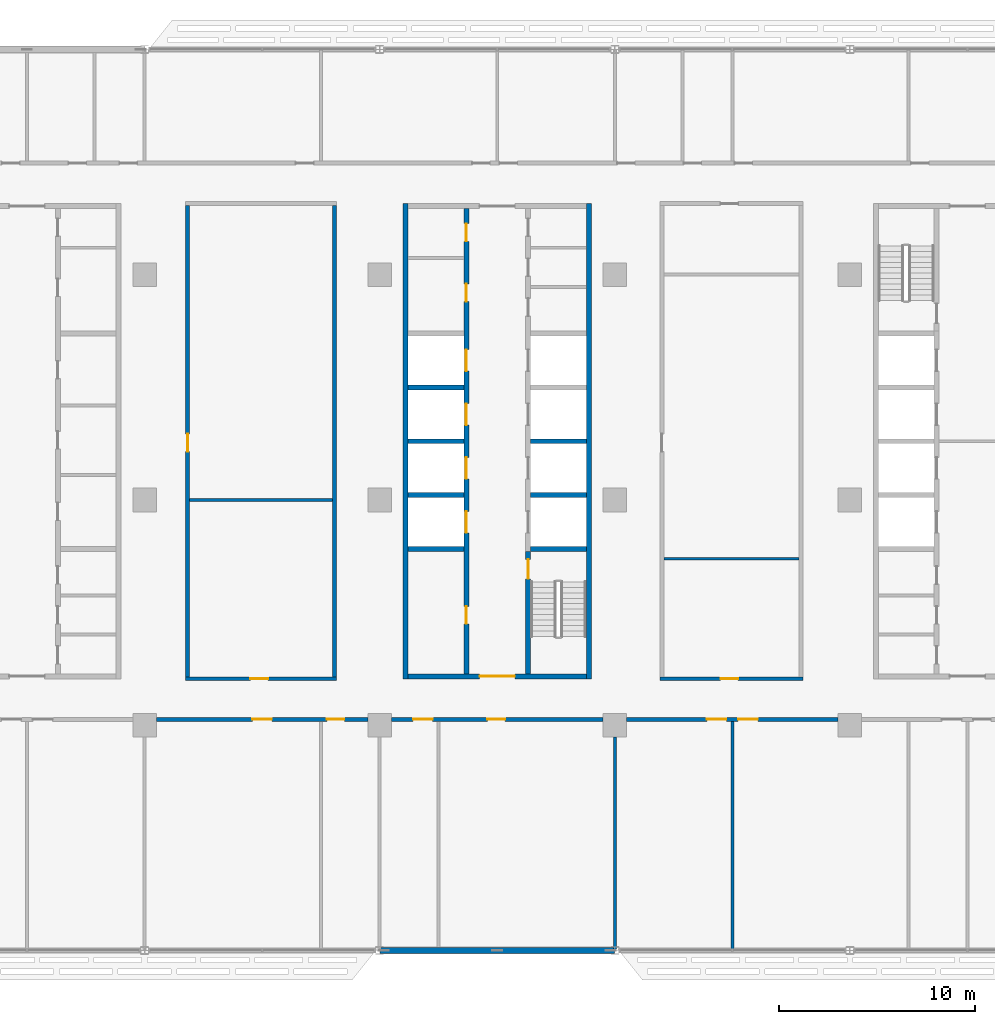
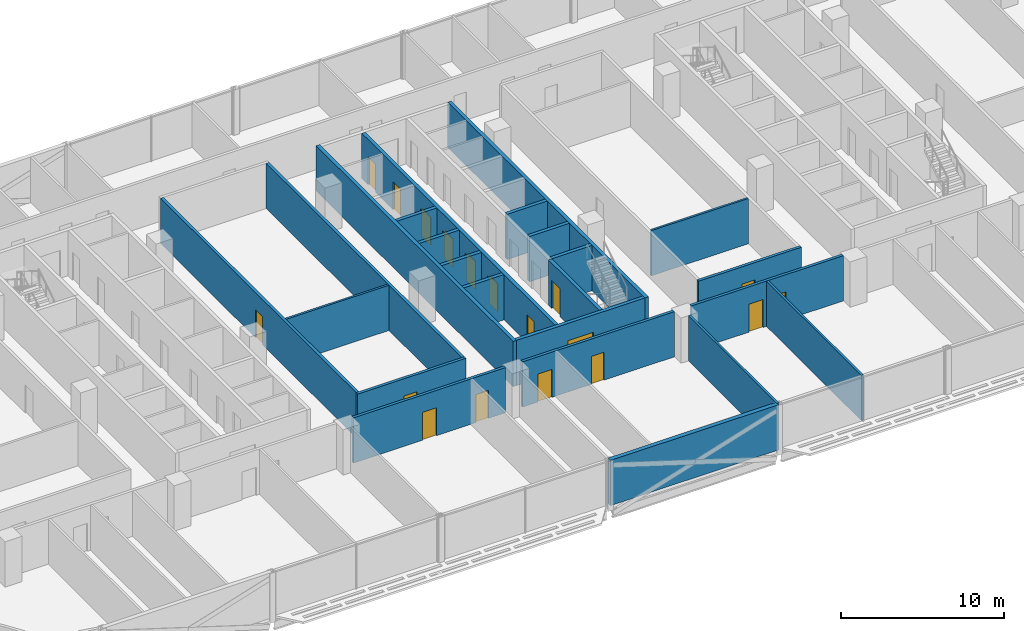
# One storey, part 12 of 28: 24 walls, 18 doors, 18 openings.
"""IFC4 building model written with IfcOpenShell, lengths in metres."""

from ifc_helpers import new_model, si_unit, direction, frame, frame_2d, origin, place, context, subcontext, project, spatial, rectangle, extrude, material, layer, layer_set, type_object, element, fill, save


model = new_model("IFC4")

# Units and contexts
model_context = context("Model", 3, precision=1e-05, world=origin(), true_north=direction((0.0, 1.0)))
body_context = subcontext(model_context, "Body", "Model", "MODEL_VIEW")
ifc_project = project(units=[si_unit("LENGTHUNIT", "METRE"), si_unit("AREAUNIT", "SQUARE_METRE"), si_unit("VOLUMEUNIT", "CUBIC_METRE"), si_unit("PLANEANGLEUNIT", "RADIAN"), si_unit("MASSUNIT", "GRAM", prefix="KILO")], contexts=[model_context])

# Site, building, storey
site_placement = place(None, origin())
site = spatial("IfcSite", under=ifc_project, at=site_placement, CompositionType="ELEMENT")
building_placement = place(site_placement, origin())
building = spatial("IfcBuilding", under=site, at=building_placement, Name="Mahtab Terrace Research Tower", CompositionType="ELEMENT")
storey_placement = place(building_placement, frame((0.0, 0.0, 185.800048828125)))
storey = spatial("IfcBuildingStorey", under=building, at=storey_placement, Name="L44", CompositionType="ELEMENT", Elevation=185.800048828125)

# Walls
ifc_material_1 = material(Name="Concrete C70/85", Category="concrete")
ifc_layer_1 = layer(ifc_material_1, 0.25)
ifc_layer_set_1 = layer_set([ifc_layer_1], Name="Core wall 250")
wall_type_1 = type_object("IfcWallType", Name="Core wall 250", PredefinedType="SOLIDWALL", material=ifc_layer_set_1)
for number, where, z_axis, x_axis, name in (
    (1, (-4.675048828125, 15.125, 0.0), (0.0, 0.0, 1.0), (0.0, -1.0, 0.0), "Core wall B outerW"),
    (2, (4.675048828125, -9.125, 0.0), (0.0, 0.0, 1.0), (0.0, 1.0, 0.0), "Core wall B outerE"),
):
    element("IfcWall", number, at=place(storey_placement, frame(where, z_axis=z_axis, x_axis=x_axis)), inside=storey, type_object=wall_type_1, Name=name, PredefinedType="SOLIDWALL", context=body_context, shape_type="SweptSolid", body=[
        extrude(rectangle(XDim=24.25, YDim=0.25, at=frame_2d((12.125, 0.0))), origin(), (0.0, 0.0, 1.0), 3.39990234375),
    ])

# Wall, opening, door
wall_1_placement = place(storey_placement, frame((4.550048828125, -9.0, 0.0), z_axis=(0.0, 0.0, 1.0), x_axis=(-1.0, 0.0, 0.0)))
wall_1 = element("IfcWall", 3, at=wall_1_placement, inside=storey, type_object=wall_type_1, Name="Core wall B endS", PredefinedType="SOLIDWALL", context=body_context, shape_type="SweptSolid", body=[
    extrude(rectangle(XDim=9.10009765625, YDim=0.25, at=frame_2d((4.550048828125, 0.0))), origin(), (0.0, 0.0, 1.0), 3.39990234375),
])
opening_1_placement = place(wall_1_placement, frame((3.64990234375, 0.0, 0.0)))
opening_1 = element("IfcOpeningElement", 4, at=opening_1_placement, cuts=wall_1, Name="Opening B-S1", PredefinedType="OPENING", context=body_context, shape_type="SweptSolid", body=[
    extrude(rectangle(XDim=1.800048828125, YDim=2.10009765625, at=frame_2d((0.89990234375, 1.050048828125))), frame((0.0, 0.135009765625, 0.0), z_axis=(0.0, -1.0, 0.0), x_axis=(1.0, 0.0, 0.0)), (0.0, 0.0, 1.0), 0.27001953125),
])
ifc_material_2 = material(Name="Steel fire door", Category="steel")
door_type_1 = type_object("IfcDoorType", Name="Lobby double door 1800x2100 1 HR", OperationType="DOUBLE_DOOR_SINGLE_SWING", PredefinedType="DOOR", material=ifc_material_2)
door_1_placement = place(opening_1_placement, origin())
door_1 = element("IfcDoor", 5, at=door_1_placement, inside=storey, type_object=door_type_1, Name="Core entrance door B S", OperationType="DOUBLE_DOOR_SINGLE_SWING", OverallHeight=2.10009765625, OverallWidth=1.800048828125, PredefinedType="DOOR", context=body_context, shape_type="SweptSolid", body=[
    extrude(rectangle(XDim=1.800048828125, YDim=2.10009765625, at=frame_2d((0.89990234375, 1.050048828125))), frame((0.0, 0.02490234375, 0.0), z_axis=(0.0, -1.0, 0.0), x_axis=(1.0, 0.0, 0.0)), (0.0, 0.0, 1.0), 0.050048828125),
])
fill(opening_1, door_1)

# Wall, openings, doors
wall_2_placement = place(storey_placement, frame((-1.574951171875, -8.875, 0.0), z_axis=(0.0, 0.0, 1.0), x_axis=(0.0, 1.0, 0.0)))
wall_2 = element("IfcWall", 6, at=wall_2_placement, inside=storey, type_object=wall_type_1, Name="Core wall B innerWSLN", PredefinedType="SOLIDWALL", context=body_context, shape_type="SweptSolid", body=[
    extrude(rectangle(XDim=23.75, YDim=0.25, at=frame_2d((11.875, 0.0))), origin(), (0.0, 0.0, 1.0), 3.39990234375),
])
opening_2_placement = place(wall_2_placement, frame((7.199951171875, 0.0, 0.0)))
opening_2 = element("IfcOpeningElement", 7, at=opening_2_placement, cuts=wall_2, Name="Opening LD09-L44", PredefinedType="OPENING", context=body_context, shape_type="SweptSolid", body=[
    extrude(rectangle(XDim=1.10009765625, YDim=2.10009765625, at=frame_2d((0.550048828125, 1.050048828125))), frame((0.0, 0.135009765625, 0.0), z_axis=(0.0, -1.0, 0.0), x_axis=(1.0, 0.0, 0.0)), (0.0, 0.0, 1.0), 0.27001953125),
])
opening_3_placement = place(wall_2_placement, frame((9.949951171875, 0.0, 0.0)))
opening_3 = element("IfcOpeningElement", 8, at=opening_3_placement, cuts=wall_2, Name="Opening LD10-L44", PredefinedType="OPENING", context=body_context, shape_type="SweptSolid", body=[
    extrude(rectangle(XDim=1.10009765625, YDim=2.10009765625, at=frame_2d((0.550048828125, 1.050048828125))), frame((0.0, 0.135009765625, 0.0), z_axis=(0.0, -1.0, 0.0), x_axis=(1.0, 0.0, 0.0)), (0.0, 0.0, 1.0), 0.27001953125),
])
opening_4_placement = place(wall_2_placement, frame((12.699951171875, 0.0, 0.0)))
opening_4 = element("IfcOpeningElement", 9, at=opening_4_placement, cuts=wall_2, Name="Opening LD11-L44", PredefinedType="OPENING", context=body_context, shape_type="SweptSolid", body=[
    extrude(rectangle(XDim=1.10009765625, YDim=2.10009765625, at=frame_2d((0.550048828125, 1.050048828125))), frame((0.0, 0.135009765625, 0.0), z_axis=(0.0, -1.0, 0.0), x_axis=(1.0, 0.0, 0.0)), (0.0, 0.0, 1.0), 0.27001953125),
])
opening_5_placement = place(wall_2_placement, frame((15.449951171875, 0.0, 0.0)))
opening_5 = element("IfcOpeningElement", 10, at=opening_5_placement, cuts=wall_2, Name="Opening LD12-L44", PredefinedType="OPENING", context=body_context, shape_type="SweptSolid", body=[
    extrude(rectangle(XDim=1.10009765625, YDim=2.10009765625, at=frame_2d((0.550048828125, 1.050048828125))), frame((0.0, 0.135009765625, 0.0), z_axis=(0.0, -1.0, 0.0), x_axis=(1.0, 0.0, 0.0)), (0.0, 0.0, 1.0), 0.27001953125),
])
opening_6_placement = place(wall_2_placement, frame((2.550048828125, 0.0, 0.0)))
opening_6 = element("IfcOpeningElement", 11, at=opening_6_placement, cuts=wall_2, Name="Opening B-R1", PredefinedType="OPENING", context=body_context, shape_type="SweptSolid", body=[
    extrude(rectangle(XDim=0.89990234375, YDim=2.10009765625, at=frame_2d((0.449951171875, 1.050048828125))), frame((0.0, 0.135009765625, 0.0), z_axis=(0.0, -1.0, 0.0), x_axis=(1.0, 0.0, 0.0)), (0.0, 0.0, 1.0), 0.27001953125),
])
opening_7_placement = place(wall_2_placement, frame((19.00244140625, 0.0, 0.0)))
opening_7 = element("IfcOpeningElement", 12, at=opening_7_placement, cuts=wall_2, Name="Opening B-R2", PredefinedType="OPENING", context=body_context, shape_type="SweptSolid", body=[
    extrude(rectangle(XDim=0.89990234375, YDim=2.10009765625, at=frame_2d((0.449951171875, 1.050048828125))), frame((0.0, 0.135009765625, 0.0), z_axis=(0.0, -1.0, 0.0), x_axis=(1.0, 0.0, 0.0)), (0.0, 0.0, 1.0), 0.27001953125),
])
opening_8_placement = place(wall_2_placement, frame((22.077392578125, 0.0, 0.0)))
opening_8 = element("IfcOpeningElement", 13, at=opening_8_placement, cuts=wall_2, Name="Opening B-R3", PredefinedType="OPENING", context=body_context, shape_type="SweptSolid", body=[
    extrude(rectangle(XDim=0.89990234375, YDim=2.10009765625, at=frame_2d((0.449951171875, 1.050048828125))), frame((0.0, 0.135009765625, 0.0), z_axis=(0.0, -1.0, 0.0), x_axis=(1.0, 0.0, 0.0)), (0.0, 0.0, 1.0), 0.27001953125),
])
ifc_material_3 = material(Name="Stainless steel AISI 304", Category="steel")
door_type_2 = type_object("IfcDoorType", Name="Landing door 1100x2100", OperationType="DOUBLE_DOOR_SLIDING", PredefinedType="DOOR", material=ifc_material_3)
door_2_placement = place(opening_2_placement, origin())
door_2 = element("IfcDoor", 14, at=door_2_placement, inside=storey, type_object=door_type_2, Name="Landing door HR1 L44", OperationType="DOUBLE_DOOR_SLIDING", OverallHeight=2.10009765625, OverallWidth=1.10009765625, PredefinedType="DOOR", context=body_context, shape_type="SweptSolid", body=[
    extrude(rectangle(XDim=1.10009765625, YDim=2.10009765625, at=frame_2d((0.550048828125, 1.050048828125))), frame((0.0, 0.02490234375, 0.0), z_axis=(0.0, -1.0, 0.0), x_axis=(1.0, 0.0, 0.0)), (0.0, 0.0, 1.0), 0.050048828125),
])
fill(opening_2, door_2)
door_3_placement = place(opening_3_placement, origin())
door_3 = element("IfcDoor", 15, at=door_3_placement, inside=storey, type_object=door_type_2, Name="Landing door HR2 L44", OperationType="DOUBLE_DOOR_SLIDING", OverallHeight=2.10009765625, OverallWidth=1.10009765625, PredefinedType="DOOR", context=body_context, shape_type="SweptSolid", body=[
    extrude(rectangle(XDim=1.10009765625, YDim=2.10009765625, at=frame_2d((0.550048828125, 1.050048828125))), frame((0.0, 0.02490234375, 0.0), z_axis=(0.0, -1.0, 0.0), x_axis=(1.0, 0.0, 0.0)), (0.0, 0.0, 1.0), 0.050048828125),
])
fill(opening_3, door_3)
door_4_placement = place(opening_4_placement, origin())
door_4 = element("IfcDoor", 16, at=door_4_placement, inside=storey, type_object=door_type_2, Name="Landing door HR3 L44", OperationType="DOUBLE_DOOR_SLIDING", OverallHeight=2.10009765625, OverallWidth=1.10009765625, PredefinedType="DOOR", context=body_context, shape_type="SweptSolid", body=[
    extrude(rectangle(XDim=1.10009765625, YDim=2.10009765625, at=frame_2d((0.550048828125, 1.050048828125))), frame((0.0, 0.02490234375, 0.0), z_axis=(0.0, -1.0, 0.0), x_axis=(1.0, 0.0, 0.0)), (0.0, 0.0, 1.0), 0.050048828125),
])
fill(opening_4, door_4)
door_5_placement = place(opening_5_placement, origin())
door_5 = element("IfcDoor", 17, at=door_5_placement, inside=storey, type_object=door_type_2, Name="Landing door HR4 L44", OperationType="DOUBLE_DOOR_SLIDING", OverallHeight=2.10009765625, OverallWidth=1.10009765625, PredefinedType="DOOR", context=body_context, shape_type="SweptSolid", body=[
    extrude(rectangle(XDim=1.10009765625, YDim=2.10009765625, at=frame_2d((0.550048828125, 1.050048828125))), frame((0.0, 0.02490234375, 0.0), z_axis=(0.0, -1.0, 0.0), x_axis=(1.0, 0.0, 0.0)), (0.0, 0.0, 1.0), 0.050048828125),
])
fill(opening_5, door_5)
door_type_3 = type_object("IfcDoorType", Name="Room door 900x2100 1 HR", OperationType="NOTDEFINED", PredefinedType="DOOR", material=ifc_material_2)
door_6_placement = place(opening_6_placement, origin())
door_6 = element("IfcDoor", 18, at=door_6_placement, inside=storey, type_object=door_type_3, Name="Gas cylinder store door", OperationType="SINGLE_SWING_LEFT", OverallHeight=2.10009765625, OverallWidth=0.89990234375, PredefinedType="DOOR", context=body_context, shape_type="SweptSolid", body=[
    extrude(rectangle(XDim=0.89990234375, YDim=2.10009765625, at=frame_2d((0.449951171875, 1.050048828125))), frame((0.0, 0.02490234375, 0.0), z_axis=(0.0, -1.0, 0.0), x_axis=(1.0, 0.0, 0.0)), (0.0, 0.0, 1.0), 0.050048828125),
])
fill(opening_6, door_6)
door_7_placement = place(opening_7_placement, origin())
door_7 = element("IfcDoor", 19, at=door_7_placement, inside=storey, type_object=door_type_3, Name="Pantry door", OperationType="SINGLE_SWING_RIGHT", OverallHeight=2.10009765625, OverallWidth=0.89990234375, PredefinedType="DOOR", context=body_context, shape_type="SweptSolid", body=[
    extrude(rectangle(XDim=0.89990234375, YDim=2.10009765625, at=frame_2d((0.449951171875, 1.050048828125))), frame((0.0, 0.02490234375, 0.0), z_axis=(0.0, -1.0, 0.0), x_axis=(1.0, 0.0, 0.0)), (0.0, 0.0, 1.0), 0.050048828125),
])
fill(opening_7, door_7)
door_8_placement = place(opening_8_placement, origin())
door_8 = element("IfcDoor", 20, at=door_8_placement, inside=storey, type_object=door_type_3, Name="Linen store door", OperationType="SINGLE_SWING_LEFT", OverallHeight=2.10009765625, OverallWidth=0.89990234375, PredefinedType="DOOR", context=body_context, shape_type="SweptSolid", body=[
    extrude(rectangle(XDim=0.89990234375, YDim=2.10009765625, at=frame_2d((0.449951171875, 1.050048828125))), frame((0.0, 0.02490234375, 0.0), z_axis=(0.0, -1.0, 0.0), x_axis=(1.0, 0.0, 0.0)), (0.0, 0.0, 1.0), 0.050048828125),
])
fill(opening_8, door_8)

# Wall, opening, door
wall_3_placement = place(storey_placement, frame((1.574951171875, -8.875, 0.0), z_axis=(0.0, 0.0, 1.0), x_axis=(0.0, 1.0, 0.0)))
wall_3 = element("IfcWall", 21, at=wall_3_placement, inside=storey, type_object=wall_type_1, Name="Core wall B innerES", PredefinedType="SOLIDWALL", context=body_context, shape_type="SweptSolid", body=[
    extrude(rectangle(XDim=6.25, YDim=0.25, at=frame_2d((3.125, 0.0))), origin(), (0.0, 0.0, 1.0), 3.39990234375),
])
opening_9_placement = place(wall_3_placement, frame((4.85009765625, 0.0, 0.0)))
opening_9 = element("IfcOpeningElement", 22, at=opening_9_placement, cuts=wall_3, Name="Opening B-ST2", PredefinedType="OPENING", context=body_context, shape_type="SweptSolid", body=[
    extrude(rectangle(XDim=1.0, YDim=2.10009765625, at=frame_2d((0.5, 1.050048828125))), frame((0.0, 0.135009765625, 0.0), z_axis=(0.0, -1.0, 0.0), x_axis=(1.0, 0.0, 0.0)), (0.0, 0.0, 1.0), 0.27001953125),
])
door_type_4 = type_object("IfcDoorType", Name="Stair door 1000x2100 1.5 HR", OperationType="NOTDEFINED", PredefinedType="DOOR", material=ifc_material_2)
door_9_placement = place(opening_9_placement, origin())
door_9 = element("IfcDoor", 23, at=door_9_placement, inside=storey, type_object=door_type_4, Name="Stair door ST2 L44", OperationType="SINGLE_SWING_LEFT", OverallHeight=2.10009765625, OverallWidth=1.0, PredefinedType="DOOR", context=body_context, shape_type="SweptSolid", body=[
    extrude(rectangle(XDim=1.0, YDim=2.10009765625, at=frame_2d((0.5, 1.050048828125))), frame((0.0, 0.02490234375, 0.0), z_axis=(0.0, -1.0, 0.0), x_axis=(1.0, 0.0, 0.0)), (0.0, 0.0, 1.0), 0.050048828125),
])
fill(opening_9, door_9)

# Walls
for number, where, z_axis, x_axis, name in (
    (24, (-4.550048828125, -2.5, 0.0), (0.0, 0.0, 1.0), (1.0, 0.0, 0.0), "Core wall B divW0"),
    (25, (-4.550048828125, 0.25, 0.0), (0.0, 0.0, 1.0), (1.0, 0.0, 0.0), "Core wall B divW1"),
    (26, (-4.550048828125, 3.0, 0.0), (0.0, 0.0, 1.0), (1.0, 0.0, 0.0), "Core wall B divW2"),
    (27, (-4.550048828125, 5.75, 0.0), (0.0, 0.0, 1.0), (1.0, 0.0, 0.0), "Core wall B divW3"),
    (28, (1.699951171875, -2.5, 0.0), (0.0, 0.0, 1.0), (1.0, 0.0, 0.0), "Core wall B divE0"),
    (29, (1.699951171875, 0.25, 0.0), (0.0, 0.0, 1.0), (1.0, 0.0, 0.0), "Core wall B divE1"),
    (30, (1.699951171875, 3.0, 0.0), (0.0, 0.0, 1.0), (1.0, 0.0, 0.0), "Core wall B divE2"),
):
    element("IfcWall", number, at=place(storey_placement, frame(where, z_axis=z_axis, x_axis=x_axis)), inside=storey, type_object=wall_type_1, Name=name, PredefinedType="SOLIDWALL", context=body_context, shape_type="SweptSolid", body=[
        extrude(rectangle(XDim=2.85009765625, YDim=0.25, at=frame_2d((1.425048828125, 0.0))), origin(), (0.0, 0.0, 1.0), 3.39990234375),
    ])
ifc_material_4 = material(Name="Black aluminium cladding panel", Category="aluminium")
ifc_layer_2 = layer(ifc_material_4, 0.300048828125)
ifc_layer_set_2 = layer_set([ifc_layer_2], Name="Opaque facade wall 300")
wall_type_2 = type_object("IfcWallType", Name="Opaque facade wall 300", PredefinedType="NOTDEFINED", material=ifc_layer_set_2)
wall_4_placement = place(storey_placement, frame((-5.985107421875, -23.0, 0.0), z_axis=(0.0, 0.0, 1.0), x_axis=(1.0, 0.0, 0.0)))
element("IfcWall", 31, at=wall_4_placement, inside=storey, type_object=wall_type_2, Name="Opaque facade wall L44 S26", PredefinedType="NOTDEFINED", context=body_context, shape_type="SweptSolid", body=[
    extrude(rectangle(XDim=11.97021484375, YDim=0.300048828125, at=frame_2d((5.985107421875, 0.0))), origin(), (0.0, 0.0, 1.0), 3.39990234375),
])

# Wall, openings, doors
ifc_material_5 = material(Name="Gypsum board corridor wall on steel studs", Category="steel")
ifc_layer_3 = layer(ifc_material_5, 0.199951171875)
ifc_layer_set_3 = layer_set([ifc_layer_3], Name="WALL CORRIDOR 200")
wall_type_3 = type_object("IfcWallType", Name="WALL CORRIDOR 200", PredefinedType="PARTITIONING", material=ifc_layer_set_3)
wall_5_placement = place(storey_placement, frame((-17.39990234375, -11.199951171875, 0.0), z_axis=(0.0, 0.0, 1.0), x_axis=(1.0, 0.0, 0.0)))
wall_5 = element("IfcWall", 32, at=wall_5_placement, inside=storey, type_object=wall_type_3, Name="L44-W004", PredefinedType="PARTITIONING", context=body_context, shape_type="SweptSolid", body=[
    extrude(rectangle(XDim=10.7998046875, YDim=0.199951171875, at=frame_2d((5.39990234375, 0.0))), origin(), (0.0, 0.0, 1.0), 3.39990234375),
])
opening_10_placement = place(wall_5_placement, frame((4.89990234375, 0.0, 0.0)))
opening_10 = element("IfcOpeningElement", 33, at=opening_10_placement, cuts=wall_5, Name="Opening L44-106", PredefinedType="OPENING", context=body_context, shape_type="SweptSolid", body=[
    extrude(rectangle(XDim=1.0, YDim=2.10009765625, at=frame_2d((0.5, 1.050048828125))), frame((0.0, 0.10986328125, 0.0), z_axis=(0.0, -1.0, 0.0), x_axis=(1.0, 0.0, 0.0)), (0.0, 0.0, 1.0), 0.219970703125),
])
opening_11_placement = place(wall_5_placement, frame((8.699951171875, 0.0, 0.0)))
opening_11 = element("IfcOpeningElement", 34, at=opening_11_placement, cuts=wall_5, Name="Opening L44-107", PredefinedType="OPENING", context=body_context, shape_type="SweptSolid", body=[
    extrude(rectangle(XDim=0.89990234375, YDim=2.10009765625, at=frame_2d((0.449951171875, 1.050048828125))), frame((0.0, 0.10986328125, 0.0), z_axis=(0.0, -1.0, 0.0), x_axis=(1.0, 0.0, 0.0)), (0.0, 0.0, 1.0), 0.219970703125),
])
ifc_material_6 = material(Name="Timber door leaf in steel frame", Category="steel")
door_type_5 = type_object("IfcDoorType", Name="DOOR 0900X2100 FD30S", OperationType="SINGLE_SWING_LEFT", PredefinedType="DOOR", material=ifc_material_6)
door_10_placement = place(opening_11_placement, origin())
door_10 = element("IfcDoor", 35, at=door_10_placement, inside=storey, type_object=door_type_5, Name="Door L44-107", OperationType="SINGLE_SWING_LEFT", OverallHeight=2.10009765625, OverallWidth=0.89990234375, PredefinedType="DOOR", context=body_context, shape_type="SweptSolid", body=[
    extrude(rectangle(XDim=0.89990234375, YDim=2.10009765625, at=frame_2d((0.449951171875, 1.050048828125))), frame((0.0, 0.02490234375, 0.0), z_axis=(0.0, -1.0, 0.0), x_axis=(1.0, 0.0, 0.0)), (0.0, 0.0, 1.0), 0.050048828125),
])
fill(opening_11, door_10)
door_type_6 = type_object("IfcDoorType", Name="DOOR 1000X2100 FD30S", OperationType="SINGLE_SWING_LEFT", PredefinedType="DOOR", material=ifc_material_6)
door_11_placement = place(opening_10_placement, origin())
door_11 = element("IfcDoor", 36, at=door_11_placement, inside=storey, type_object=door_type_6, Name="Door L44-106", OperationType="SINGLE_SWING_LEFT", OverallHeight=2.10009765625, OverallWidth=1.0, PredefinedType="DOOR", context=body_context, shape_type="SweptSolid", body=[
    extrude(rectangle(XDim=1.0, YDim=2.10009765625, at=frame_2d((0.5, 1.050048828125))), frame((0.0, 0.02490234375, 0.0), z_axis=(0.0, -1.0, 0.0), x_axis=(1.0, 0.0, 0.0)), (0.0, 0.0, 1.0), 0.050048828125),
])
fill(opening_10, door_11)

wall_6_placement = place(storey_placement, frame((-5.39990234375, -11.199951171875, 0.0), z_axis=(0.0, 0.0, 1.0), x_axis=(1.0, 0.0, 0.0)))
wall_6 = element("IfcWall", 37, at=wall_6_placement, inside=storey, type_object=wall_type_3, Name="L44-W005", PredefinedType="PARTITIONING", context=body_context, shape_type="SweptSolid", body=[
    extrude(rectangle(XDim=10.7998046875, YDim=0.199951171875, at=frame_2d((5.39990234375, 0.0))), origin(), (0.0, 0.0, 1.0), 3.39990234375),
])
opening_12_placement = place(wall_6_placement, frame((1.10009765625, 0.0, 0.0)))
opening_12 = element("IfcOpeningElement", 38, at=opening_12_placement, cuts=wall_6, Name="Opening L44-108", PredefinedType="OPENING", context=body_context, shape_type="SweptSolid", body=[
    extrude(rectangle(XDim=1.0, YDim=2.10009765625, at=frame_2d((0.5, 1.050048828125))), frame((0.0, 0.10986328125, 0.0), z_axis=(0.0, -1.0, 0.0), x_axis=(1.0, 0.0, 0.0)), (0.0, 0.0, 1.0), 0.219970703125),
])
opening_13_placement = place(wall_6_placement, frame((4.89990234375, 0.0, 0.0)))
opening_13 = element("IfcOpeningElement", 39, at=opening_13_placement, cuts=wall_6, Name="Opening L44-109", PredefinedType="OPENING", context=body_context, shape_type="SweptSolid", body=[
    extrude(rectangle(XDim=0.89990234375, YDim=2.10009765625, at=frame_2d((0.449951171875, 1.050048828125))), frame((0.0, 0.10986328125, 0.0), z_axis=(0.0, -1.0, 0.0), x_axis=(1.0, 0.0, 0.0)), (0.0, 0.0, 1.0), 0.219970703125),
])
door_12_placement = place(opening_13_placement, origin())
door_12 = element("IfcDoor", 40, at=door_12_placement, inside=storey, type_object=door_type_5, Name="Door L44-109", OperationType="SINGLE_SWING_RIGHT", OverallHeight=2.10009765625, OverallWidth=0.89990234375, PredefinedType="DOOR", context=body_context, shape_type="SweptSolid", body=[
    extrude(rectangle(XDim=0.89990234375, YDim=2.10009765625, at=frame_2d((0.449951171875, 1.050048828125))), frame((0.0, 0.02490234375, 0.0), z_axis=(0.0, -1.0, 0.0), x_axis=(1.0, 0.0, 0.0)), (0.0, 0.0, 1.0), 0.050048828125),
])
fill(opening_13, door_12)
door_13_placement = place(opening_12_placement, origin())
door_13 = element("IfcDoor", 41, at=door_13_placement, inside=storey, type_object=door_type_6, Name="Door L44-108", OperationType="SINGLE_SWING_RIGHT", OverallHeight=2.10009765625, OverallWidth=1.0, PredefinedType="DOOR", context=body_context, shape_type="SweptSolid", body=[
    extrude(rectangle(XDim=1.0, YDim=2.10009765625, at=frame_2d((0.5, 1.050048828125))), frame((0.0, 0.02490234375, 0.0), z_axis=(0.0, -1.0, 0.0), x_axis=(1.0, 0.0, 0.0)), (0.0, 0.0, 1.0), 0.050048828125),
])
fill(opening_12, door_13)

wall_7_placement = place(storey_placement, frame((6.60009765625, -11.199951171875, 0.0), z_axis=(0.0, 0.0, 1.0), x_axis=(1.0, 0.0, 0.0)))
wall_7 = element("IfcWall", 42, at=wall_7_placement, inside=storey, type_object=wall_type_3, Name="L44-W006", PredefinedType="PARTITIONING", context=body_context, shape_type="SweptSolid", body=[
    extrude(rectangle(XDim=10.7998046875, YDim=0.199951171875, at=frame_2d((5.39990234375, 0.0))), origin(), (0.0, 0.0, 1.0), 3.39990234375),
])
opening_14_placement = place(wall_7_placement, frame((4.10009765625, 0.0, 0.0)))
opening_14 = element("IfcOpeningElement", 43, at=opening_14_placement, cuts=wall_7, Name="Opening L44-110", PredefinedType="OPENING", context=body_context, shape_type="SweptSolid", body=[
    extrude(rectangle(XDim=1.0, YDim=2.10009765625, at=frame_2d((0.5, 1.050048828125))), frame((0.0, 0.10986328125, 0.0), z_axis=(0.0, -1.0, 0.0), x_axis=(1.0, 0.0, 0.0)), (0.0, 0.0, 1.0), 0.219970703125),
])
opening_15_placement = place(wall_7_placement, frame((5.699951171875, 0.0, 0.0)))
opening_15 = element("IfcOpeningElement", 44, at=opening_15_placement, cuts=wall_7, Name="Opening L44-111", PredefinedType="OPENING", context=body_context, shape_type="SweptSolid", body=[
    extrude(rectangle(XDim=1.0, YDim=2.10009765625, at=frame_2d((0.5, 1.050048828125))), frame((0.0, 0.10986328125, 0.0), z_axis=(0.0, -1.0, 0.0), x_axis=(1.0, 0.0, 0.0)), (0.0, 0.0, 1.0), 0.219970703125),
])
door_14_placement = place(opening_14_placement, origin())
door_14 = element("IfcDoor", 45, at=door_14_placement, inside=storey, type_object=door_type_6, Name="Door L44-110", OperationType="SINGLE_SWING_RIGHT", OverallHeight=2.10009765625, OverallWidth=1.0, PredefinedType="DOOR", context=body_context, shape_type="SweptSolid", body=[
    extrude(rectangle(XDim=1.0, YDim=2.10009765625, at=frame_2d((0.5, 1.050048828125))), frame((0.0, 0.02490234375, 0.0), z_axis=(0.0, -1.0, 0.0), x_axis=(1.0, 0.0, 0.0)), (0.0, 0.0, 1.0), 0.050048828125),
])
fill(opening_14, door_14)
door_15_placement = place(opening_15_placement, origin())
door_15 = element("IfcDoor", 46, at=door_15_placement, inside=storey, type_object=door_type_6, Name="Door L44-111", OperationType="SINGLE_SWING_LEFT", OverallHeight=2.10009765625, OverallWidth=1.0, PredefinedType="DOOR", context=body_context, shape_type="SweptSolid", body=[
    extrude(rectangle(XDim=1.0, YDim=2.10009765625, at=frame_2d((0.5, 1.050048828125))), frame((0.0, 0.02490234375, 0.0), z_axis=(0.0, -1.0, 0.0), x_axis=(1.0, 0.0, 0.0)), (0.0, 0.0, 1.0), 0.050048828125),
])
fill(opening_15, door_15)

# Wall, opening, door
wall_8_placement = place(storey_placement, frame((-15.89990234375, -9.125, 0.0), z_axis=(0.0, 0.0, 1.0), x_axis=(1.0, 0.0, 0.0)))
wall_8 = element("IfcWall", 47, at=wall_8_placement, inside=storey, type_object=wall_type_3, Name="L44-W011", PredefinedType="PARTITIONING", context=body_context, shape_type="SweptSolid", body=[
    extrude(rectangle(XDim=7.699951171875, YDim=0.199951171875, at=frame_2d((3.85009765625, 0.0))), origin(), (0.0, 0.0, 1.0), 3.39990234375),
])
opening_16_placement = place(wall_8_placement, frame((3.300048828125, 0.0, 0.0)))
opening_16 = element("IfcOpeningElement", 48, at=opening_16_placement, cuts=wall_8, Name="Opening L44-119", PredefinedType="OPENING", context=body_context, shape_type="SweptSolid", body=[
    extrude(rectangle(XDim=0.89990234375, YDim=2.10009765625, at=frame_2d((0.449951171875, 1.050048828125))), frame((0.0, 0.10986328125, 0.0), z_axis=(0.0, -1.0, 0.0), x_axis=(1.0, 0.0, 0.0)), (0.0, 0.0, 1.0), 0.219970703125),
])
door_16_placement = place(opening_16_placement, origin())
door_16 = element("IfcDoor", 49, at=door_16_placement, inside=storey, type_object=door_type_5, Name="Door L44-119", OperationType="SINGLE_SWING_LEFT", OverallHeight=2.10009765625, OverallWidth=0.89990234375, PredefinedType="DOOR", context=body_context, shape_type="SweptSolid", body=[
    extrude(rectangle(XDim=0.89990234375, YDim=2.10009765625, at=frame_2d((0.449951171875, 1.050048828125))), frame((0.0, 0.02490234375, 0.0), z_axis=(0.0, -1.0, 0.0), x_axis=(1.0, 0.0, 0.0)), (0.0, 0.0, 1.0), 0.050048828125),
])
fill(opening_16, door_16)

wall_9_placement = place(storey_placement, frame((8.300048828125, -9.125, 0.0), z_axis=(0.0, 0.0, 1.0), x_axis=(1.0, 0.0, 0.0)))
wall_9 = element("IfcWall", 50, at=wall_9_placement, inside=storey, type_object=wall_type_3, Name="L44-W012", PredefinedType="PARTITIONING", context=body_context, shape_type="SweptSolid", body=[
    extrude(rectangle(XDim=7.300048828125, YDim=0.199951171875, at=frame_2d((3.64990234375, 0.0))), origin(), (0.0, 0.0, 1.0), 3.39990234375),
])
opening_17_placement = place(wall_9_placement, frame((3.10009765625, 0.0, 0.0)))
opening_17 = element("IfcOpeningElement", 51, at=opening_17_placement, cuts=wall_9, Name="Opening L44-118", PredefinedType="OPENING", context=body_context, shape_type="SweptSolid", body=[
    extrude(rectangle(XDim=0.89990234375, YDim=2.10009765625, at=frame_2d((0.449951171875, 1.050048828125))), frame((0.0, 0.10986328125, 0.0), z_axis=(0.0, -1.0, 0.0), x_axis=(1.0, 0.0, 0.0)), (0.0, 0.0, 1.0), 0.219970703125),
])
door_17_placement = place(opening_17_placement, origin())
door_17 = element("IfcDoor", 52, at=door_17_placement, inside=storey, type_object=door_type_5, Name="Door L44-118", OperationType="SINGLE_SWING_LEFT", OverallHeight=2.10009765625, OverallWidth=0.89990234375, PredefinedType="DOOR", context=body_context, shape_type="SweptSolid", body=[
    extrude(rectangle(XDim=0.89990234375, YDim=2.10009765625, at=frame_2d((0.449951171875, 1.050048828125))), frame((0.0, 0.02490234375, 0.0), z_axis=(0.0, -1.0, 0.0), x_axis=(1.0, 0.0, 0.0)), (0.0, 0.0, 1.0), 0.050048828125),
])
fill(opening_17, door_17)

wall_10_placement = place(storey_placement, frame((-15.800048828125, -9.02490234375, 0.0), z_axis=(0.0, 0.0, 1.0), x_axis=(0.0, 1.0, 0.0)))
wall_10 = element("IfcWall", 53, at=wall_10_placement, inside=storey, type_object=wall_type_3, Name="L44-W038", PredefinedType="PARTITIONING", context=body_context, shape_type="SweptSolid", body=[
    extrude(rectangle(XDim=24.0498046875, YDim=0.199951171875, at=frame_2d((12.02490234375, 0.0))), origin(), (0.0, 0.0, 1.0), 3.39990234375),
])
opening_18_placement = place(wall_10_placement, frame((11.5, 0.0, 0.0)))
opening_18 = element("IfcOpeningElement", 54, at=opening_18_placement, cuts=wall_10, Name="Opening L44-124", PredefinedType="OPENING", context=body_context, shape_type="SweptSolid", body=[
    extrude(rectangle(XDim=0.89990234375, YDim=2.10009765625, at=frame_2d((0.449951171875, 1.050048828125))), frame((0.0, 0.10986328125, 0.0), z_axis=(0.0, -1.0, 0.0), x_axis=(1.0, 0.0, 0.0)), (0.0, 0.0, 1.0), 0.219970703125),
])
door_18_placement = place(opening_18_placement, origin())
door_18 = element("IfcDoor", 55, at=door_18_placement, inside=storey, type_object=door_type_5, Name="Door L44-124", OperationType="SINGLE_SWING_RIGHT", OverallHeight=2.10009765625, OverallWidth=0.89990234375, PredefinedType="DOOR", context=body_context, shape_type="SweptSolid", body=[
    extrude(rectangle(XDim=0.89990234375, YDim=2.10009765625, at=frame_2d((0.449951171875, 1.050048828125))), frame((0.0, 0.02490234375, 0.0), z_axis=(0.0, -1.0, 0.0), x_axis=(1.0, 0.0, 0.0)), (0.0, 0.0, 1.0), 0.050048828125),
])
fill(opening_18, door_18)

# Walls
wall_11_placement = place(storey_placement, frame((-8.300048828125, -9.02490234375, 0.0), z_axis=(0.0, 0.0, 1.0), x_axis=(0.0, 1.0, 0.0)))
element("IfcWall", 56, at=wall_11_placement, inside=storey, type_object=wall_type_3, Name="L44-W041", PredefinedType="PARTITIONING", context=body_context, shape_type="SweptSolid", body=[
    extrude(rectangle(XDim=24.0498046875, YDim=0.199951171875, at=frame_2d((12.02490234375, 0.0))), origin(), (0.0, 0.0, 1.0), 3.39990234375),
])
ifc_material_7 = material(Name="Gypsum board partition on steel studs", Category="steel")
ifc_layer_4 = layer(ifc_material_7, 0.14990234375)
ifc_layer_set_4 = layer_set([ifc_layer_4], Name="WALL PARTITION 150")
wall_type_4 = type_object("IfcWallType", Name="WALL PARTITION 150", PredefinedType="PARTITIONING", material=ifc_layer_set_4)
wall_12_placement = place(storey_placement, frame((8.5, -3.0, 0.0), z_axis=(0.0, 0.0, 1.0), x_axis=(1.0, 0.0, 0.0)))
element("IfcWall", 57, at=wall_12_placement, inside=storey, type_object=wall_type_4, Name="L44-W015", PredefinedType="PARTITIONING", context=body_context, shape_type="SweptSolid", body=[
    extrude(rectangle(XDim=6.89990234375, YDim=0.14990234375, at=frame_2d((3.449951171875, 0.0))), origin(), (0.0, 0.0, 1.0), 3.39990234375),
])
wall_13_placement = place(storey_placement, frame((-15.699951171875, 0.0, 0.0), z_axis=(0.0, 0.0, 1.0), x_axis=(1.0, 0.0, 0.0)))
element("IfcWall", 58, at=wall_13_placement, inside=storey, type_object=wall_type_4, Name="L44-W016", PredefinedType="PARTITIONING", context=body_context, shape_type="SweptSolid", body=[
    extrude(rectangle(XDim=7.300048828125, YDim=0.14990234375, at=frame_2d((3.64990234375, 0.0))), origin(), (0.0, 0.0, 1.0), 3.39990234375),
])
wall_14_placement = place(storey_placement, frame((6.0, -22.97509765625, 0.0), z_axis=(0.0, 0.0, 1.0), x_axis=(0.0, 1.0, 0.0)))
element("IfcWall", 59, at=wall_14_placement, inside=storey, type_object=wall_type_4, Name="L44-W045", PredefinedType="PARTITIONING", context=body_context, shape_type="SweptSolid", body=[
    extrude(rectangle(XDim=10.875, YDim=0.14990234375, at=frame_2d((5.4375, 0.0))), origin(), (0.0, 0.0, 1.0), 3.39990234375),
])
wall_15_placement = place(storey_placement, frame((12.0, -22.97509765625, 0.0), z_axis=(0.0, 0.0, 1.0), x_axis=(0.0, 1.0, 0.0)))
element("IfcWall", 60, at=wall_15_placement, inside=storey, type_object=wall_type_4, Name="L44-W049", PredefinedType="PARTITIONING", context=body_context, shape_type="SweptSolid", body=[
    extrude(rectangle(XDim=11.675048828125, YDim=0.14990234375, at=frame_2d((5.83740234375, 0.0))), origin(), (0.0, 0.0, 1.0), 3.39990234375),
])

save(model, "model.ifc")
